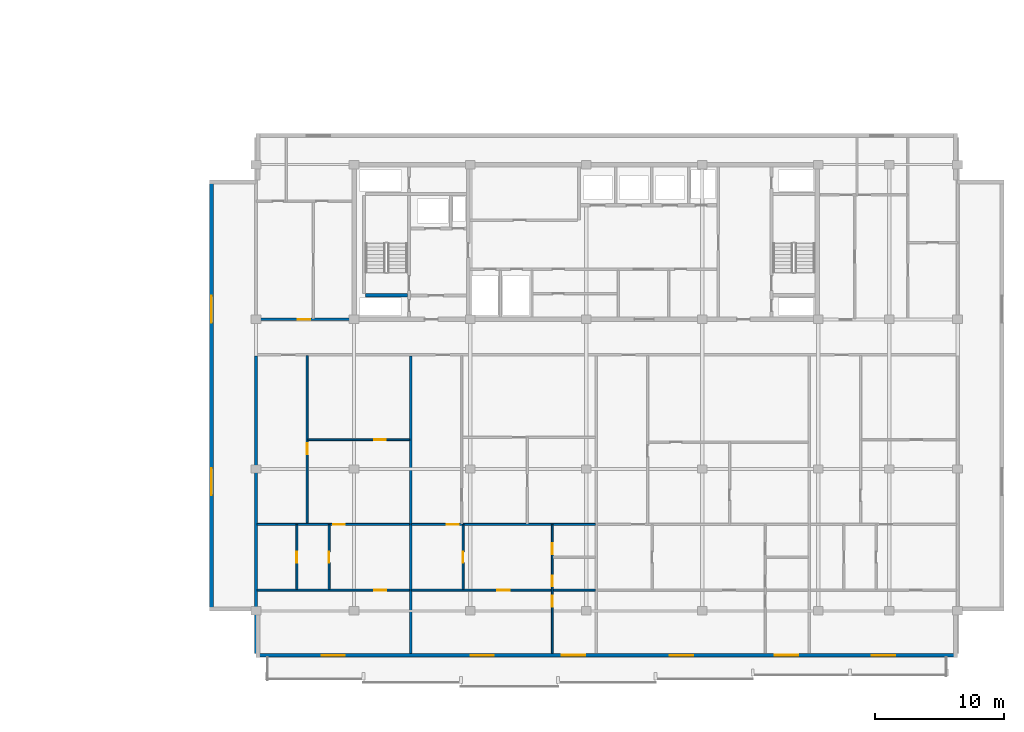
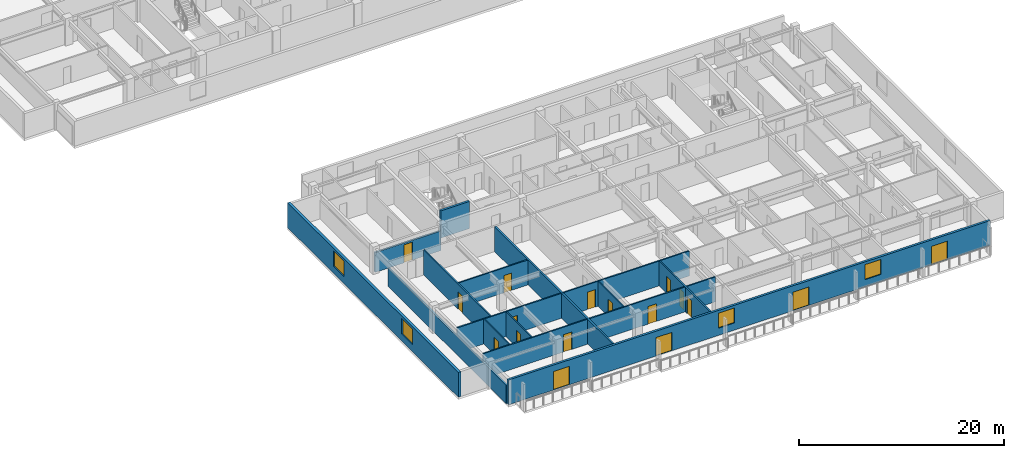
# One storey, part 4 of 22: 17 doors, 16 walls, 4 windows, 21 openings.
"""IFC4 building model written with IfcOpenShell, lengths in metres."""

from ifc_helpers import new_model, si_unit, direction, frame, frame_2d, origin, place, context, subcontext, project, spatial, rectangle, extrude, material, layer, layer_set, type_object, element, fill, save


model = new_model("IFC4")

# Units and contexts
model_context = context("Model", 3, precision=1e-05, world=origin(), true_north=direction((0.0, 1.0)))
body_context = subcontext(model_context, "Body", "Model", "MODEL_VIEW")
ifc_project = project(units=[si_unit("LENGTHUNIT", "METRE"), si_unit("AREAUNIT", "SQUARE_METRE"), si_unit("VOLUMEUNIT", "CUBIC_METRE"), si_unit("PLANEANGLEUNIT", "RADIAN"), si_unit("MASSUNIT", "GRAM", prefix="KILO")], contexts=[model_context])

# Site, building, storey
site_placement = place(None, origin())
site = spatial("IfcSite", under=ifc_project, at=site_placement, CompositionType="ELEMENT")
building_placement = place(site_placement, origin())
building = spatial("IfcBuilding", under=site, at=building_placement, Name="Korimba Cascade Residences", CompositionType="ELEMENT")
storey_placement = place(building_placement, frame((0.0, 0.0, 181.60009765625)))
storey = spatial("IfcBuildingStorey", under=building, at=storey_placement, Name="L52", CompositionType="ELEMENT", Elevation=181.60009765625)

# Wall, openings, doors, windows
ifc_material_1 = material(Name="Precast concrete C40/50", Category="concrete")
ifc_layer_1 = layer(ifc_material_1, 0.25)
ifc_layer_set_1 = layer_set([ifc_layer_1], Name="Precast concrete C40/50")
wall_type_1 = type_object("IfcWallType", Name="EW-LOG-250", PredefinedType="STANDARD", material=ifc_layer_set_1)
wall_1_placement = place(storey_placement, frame((74.5, -7.64990234375, 0.0), z_axis=(0.0, 0.0, 1.0), x_axis=(1.0, 0.0, 0.0)))
wall_1 = element("IfcWall", 1, at=wall_1_placement, inside=storey, type_object=wall_type_1, Name="L52 T2 Perimeter Stone Wall E00", PredefinedType="STANDARD", context=body_context, shape_type="SweptSolid", body=[
    extrude(rectangle(XDim=54.39990234375, YDim=0.25, at=frame_2d((27.199951171875, 0.0))), origin(), (0.0, 0.0, 1.0), 2.969970703125),
])
opening_1_placement = place(wall_1_placement, frame((5.091552734375, 0.0, 0.0)))
opening_1 = element("IfcOpeningElement", 2, at=opening_1_placement, cuts=wall_1, Name="Opening D-LG1", PredefinedType="OPENING", context=body_context, shape_type="SweptSolid", body=[
    extrude(rectangle(XDim=1.800048828125, YDim=2.199951171875, at=frame_2d((0.89990234375, 1.10009765625))), frame((0.0, 0.135009765625, 0.0), z_axis=(0.0, -1.0, 0.0), x_axis=(1.0, 0.0, 0.0)), (0.0, 0.0, 1.0), 0.27001953125),
])
opening_2_placement = place(wall_1_placement, frame((16.637451171875, 0.0, 0.0)))
opening_2 = element("IfcOpeningElement", 3, at=opening_2_placement, cuts=wall_1, Name="Opening D-LG1", PredefinedType="OPENING", context=body_context, shape_type="SweptSolid", body=[
    extrude(rectangle(XDim=1.800048828125, YDim=2.199951171875, at=frame_2d((0.89990234375, 1.10009765625))), frame((0.0, 0.135009765625, 0.0), z_axis=(0.0, -1.0, 0.0), x_axis=(1.0, 0.0, 0.0)), (0.0, 0.0, 1.0), 0.27001953125),
])
opening_3_placement = place(wall_1_placement, frame((23.7216796875, 0.0, 0.85009765625)))
opening_3 = element("IfcOpeningElement", 4, at=opening_3_placement, cuts=wall_1, Name="Opening W-02", PredefinedType="OPENING", context=body_context, shape_type="SweptSolid", body=[
    extrude(rectangle(XDim=1.800048828125, YDim=1.800048828125, at=frame_2d((0.89990234375, 0.89990234375))), frame((0.0, 0.135009765625, 0.0), z_axis=(0.0, -1.0, 0.0), x_axis=(1.0, 0.0, 0.0)), (0.0, 0.0, 1.0), 0.27001953125),
])
opening_4_placement = place(wall_1_placement, frame((32.099853515625, 0.0, 0.0)))
opening_4 = element("IfcOpeningElement", 5, at=opening_4_placement, cuts=wall_1, Name="Opening D-LG1", PredefinedType="OPENING", context=body_context, shape_type="SweptSolid", body=[
    extrude(rectangle(XDim=1.800048828125, YDim=2.199951171875, at=frame_2d((0.89990234375, 1.10009765625))), frame((0.0, 0.135009765625, 0.0), z_axis=(0.0, -1.0, 0.0), x_axis=(1.0, 0.0, 0.0)), (0.0, 0.0, 1.0), 0.27001953125),
])
opening_5_placement = place(wall_1_placement, frame((40.23828125, 0.0, 0.85009765625)))
opening_5 = element("IfcOpeningElement", 6, at=opening_5_placement, cuts=wall_1, Name="Opening W-02", PredefinedType="OPENING", context=body_context, shape_type="SweptSolid", body=[
    extrude(rectangle(XDim=1.800048828125, YDim=1.800048828125, at=frame_2d((0.89990234375, 0.89990234375))), frame((0.0, 0.135009765625, 0.0), z_axis=(0.0, -1.0, 0.0), x_axis=(1.0, 0.0, 0.0)), (0.0, 0.0, 1.0), 0.27001953125),
])
opening_6_placement = place(wall_1_placement, frame((47.754150390625, 0.0, 0.0)))
opening_6 = element("IfcOpeningElement", 7, at=opening_6_placement, cuts=wall_1, Name="Opening D-LG1", PredefinedType="OPENING", context=body_context, shape_type="SweptSolid", body=[
    extrude(rectangle(XDim=1.800048828125, YDim=2.199951171875, at=frame_2d((0.89990234375, 1.10009765625))), frame((0.0, 0.135009765625, 0.0), z_axis=(0.0, -1.0, 0.0), x_axis=(1.0, 0.0, 0.0)), (0.0, 0.0, 1.0), 0.27001953125),
])
ifc_material_2 = material(Name="Glazed Aluminium Loggia Sliding Door", Category="aluminium")
door_type_1 = type_object("IfcDoorType", Name="DR-EXT-LOG", OperationType="NOTDEFINED", PredefinedType="DOOR", material=ifc_material_2)
door_1_placement = place(opening_1_placement, origin())
door_1 = element("IfcDoor", 8, at=door_1_placement, inside=storey, type_object=door_type_1, Name="L52 T2 Loggia Sliding Door 3", OperationType="SLIDING_TO_RIGHT", OverallHeight=2.199951171875, OverallWidth=1.800048828125, PredefinedType="DOOR", context=body_context, shape_type="SweptSolid", body=[
    extrude(rectangle(XDim=1.800048828125, YDim=2.199951171875, at=frame_2d((0.89990234375, 1.10009765625))), frame((0.0, 0.02490234375, 0.0), z_axis=(0.0, -1.0, 0.0), x_axis=(1.0, 0.0, 0.0)), (0.0, 0.0, 1.0), 0.050048828125),
])
fill(opening_1, door_1)
door_2_placement = place(opening_2_placement, origin())
door_2 = element("IfcDoor", 9, at=door_2_placement, inside=storey, type_object=door_type_1, Name="L52 T2 Loggia Sliding Door 4", OperationType="SLIDING_TO_RIGHT", OverallHeight=2.199951171875, OverallWidth=1.800048828125, PredefinedType="DOOR", context=body_context, shape_type="SweptSolid", body=[
    extrude(rectangle(XDim=1.800048828125, YDim=2.199951171875, at=frame_2d((0.89990234375, 1.10009765625))), frame((0.0, 0.02490234375, 0.0), z_axis=(0.0, -1.0, 0.0), x_axis=(1.0, 0.0, 0.0)), (0.0, 0.0, 1.0), 0.050048828125),
])
fill(opening_2, door_2)
door_3_placement = place(opening_4_placement, origin())
door_3 = element("IfcDoor", 10, at=door_3_placement, inside=storey, type_object=door_type_1, Name="L52 T2 Loggia Sliding Door 6", OperationType="SLIDING_TO_RIGHT", OverallHeight=2.199951171875, OverallWidth=1.800048828125, PredefinedType="DOOR", context=body_context, shape_type="SweptSolid", body=[
    extrude(rectangle(XDim=1.800048828125, YDim=2.199951171875, at=frame_2d((0.89990234375, 1.10009765625))), frame((0.0, 0.02490234375, 0.0), z_axis=(0.0, -1.0, 0.0), x_axis=(1.0, 0.0, 0.0)), (0.0, 0.0, 1.0), 0.050048828125),
])
fill(opening_4, door_3)
door_4_placement = place(opening_6_placement, origin())
door_4 = element("IfcDoor", 11, at=door_4_placement, inside=storey, type_object=door_type_1, Name="L52 T2 Loggia Sliding Door 8", OperationType="SLIDING_TO_RIGHT", OverallHeight=2.199951171875, OverallWidth=1.800048828125, PredefinedType="DOOR", context=body_context, shape_type="SweptSolid", body=[
    extrude(rectangle(XDim=1.800048828125, YDim=2.199951171875, at=frame_2d((0.89990234375, 1.10009765625))), frame((0.0, 0.02490234375, 0.0), z_axis=(0.0, -1.0, 0.0), x_axis=(1.0, 0.0, 0.0)), (0.0, 0.0, 1.0), 0.050048828125),
])
fill(opening_6, door_4)
ifc_material_3 = material(Name="Double-Glazed Aluminium Window", Category="aluminium")
window_type_1 = type_object("IfcWindowType", Name="WIN-BED-1800", PartitioningType="SINGLE_PANEL", PredefinedType="WINDOW", material=ifc_material_3)
window_1_placement = place(opening_3_placement, origin())
window_1 = element("IfcWindow", 12, at=window_1_placement, inside=storey, type_object=window_type_1, Name="L52 T2 South Facade Window 5", OverallHeight=1.800048828125, OverallWidth=1.800048828125, PartitioningType="SINGLE_PANEL", PredefinedType="WINDOW", context=body_context, shape_type="SweptSolid", body=[
    extrude(rectangle(XDim=1.800048828125, YDim=1.800048828125, at=frame_2d((0.89990234375, 0.89990234375))), frame((0.0, 0.030029296875, 0.0), z_axis=(0.0, -1.0, 0.0), x_axis=(1.0, 0.0, 0.0)), (0.0, 0.0, 1.0), 0.06005859375),
])
fill(opening_3, window_1)
window_2_placement = place(opening_5_placement, origin())
window_2 = element("IfcWindow", 13, at=window_2_placement, inside=storey, type_object=window_type_1, Name="L52 T2 South Facade Window 7", OverallHeight=1.800048828125, OverallWidth=1.800048828125, PartitioningType="SINGLE_PANEL", PredefinedType="WINDOW", context=body_context, shape_type="SweptSolid", body=[
    extrude(rectangle(XDim=1.800048828125, YDim=1.800048828125, at=frame_2d((0.89990234375, 0.89990234375))), frame((0.0, 0.030029296875, 0.0), z_axis=(0.0, -1.0, 0.0), x_axis=(1.0, 0.0, 0.0)), (0.0, 0.0, 1.0), 0.06005859375),
])
fill(opening_5, window_2)

# Wall, openings, windows
ifc_layer_2 = layer(ifc_material_1, 0.300048828125)
ifc_layer_set_2 = layer_set([ifc_layer_2], Name="Precast concrete C40/50")
wall_type_2 = type_object("IfcWallType", Name="EW-STONE-300", PredefinedType="STANDARD", material=ifc_layer_set_2)
wall_2_placement = place(storey_placement, frame((71.050048828125, 29.199951171875, 0.0), z_axis=(0.0, 0.0, 1.0), x_axis=(0.0, -1.0, 0.0)))
wall_2 = element("IfcWall", 14, at=wall_2_placement, inside=storey, type_object=wall_type_2, Name="L52 T2 Perimeter Stone Wall E09", PredefinedType="STANDARD", context=body_context, shape_type="SweptSolid", body=[
    extrude(rectangle(XDim=33.39990234375, YDim=0.300048828125, at=frame_2d((16.699951171875, 0.0))), origin(), (0.0, 0.0, 1.0), 2.969970703125),
])
opening_7_placement = place(wall_2_placement, frame((8.969970703125, 0.0, 0.85009765625)))
opening_7 = element("IfcOpeningElement", 15, at=opening_7_placement, cuts=wall_2, Name="Opening W-03", PredefinedType="OPENING", context=body_context, shape_type="SweptSolid", body=[
    extrude(rectangle(XDim=2.10009765625, YDim=1.85009765625, at=frame_2d((1.050048828125, 0.925048828125))), frame((0.0, 0.16015625, 0.0), z_axis=(0.0, -1.0, 0.0), x_axis=(1.0, 0.0, 0.0)), (0.0, 0.0, 1.0), 0.320068359375),
])
opening_8_placement = place(wall_2_placement, frame((22.330078125, 0.0, 0.85009765625)))
opening_8 = element("IfcOpeningElement", 16, at=opening_8_placement, cuts=wall_2, Name="Opening W-03", PredefinedType="OPENING", context=body_context, shape_type="SweptSolid", body=[
    extrude(rectangle(XDim=2.10009765625, YDim=1.85009765625, at=frame_2d((1.050048828125, 0.925048828125))), frame((0.0, 0.16015625, 0.0), z_axis=(0.0, -1.0, 0.0), x_axis=(1.0, 0.0, 0.0)), (0.0, 0.0, 1.0), 0.320068359375),
])
window_type_2 = type_object("IfcWindowType", Name="WIN-CRN-2100", PartitioningType="DOUBLE_PANEL_HORIZONTAL", PredefinedType="WINDOW", material=ifc_material_3)
window_3_placement = place(opening_7_placement, origin())
window_3 = element("IfcWindow", 17, at=window_3_placement, inside=storey, type_object=window_type_2, Name="L52 T2 End View Window 9.1", OverallHeight=1.85009765625, OverallWidth=2.10009765625, PartitioningType="DOUBLE_PANEL_HORIZONTAL", PredefinedType="WINDOW", context=body_context, shape_type="SweptSolid", body=[
    extrude(rectangle(XDim=2.10009765625, YDim=1.85009765625, at=frame_2d((1.050048828125, 0.925048828125))), frame((0.0, 0.030029296875, 0.0), z_axis=(0.0, -1.0, 0.0), x_axis=(1.0, 0.0, 0.0)), (0.0, 0.0, 1.0), 0.06005859375),
])
fill(opening_7, window_3)
window_4_placement = place(opening_8_placement, origin())
window_4 = element("IfcWindow", 18, at=window_4_placement, inside=storey, type_object=window_type_2, Name="L52 T2 End View Window 9.2", OverallHeight=1.85009765625, OverallWidth=2.10009765625, PartitioningType="DOUBLE_PANEL_HORIZONTAL", PredefinedType="WINDOW", context=body_context, shape_type="SweptSolid", body=[
    extrude(rectangle(XDim=2.10009765625, YDim=1.85009765625, at=frame_2d((1.050048828125, 0.925048828125))), frame((0.0, 0.030029296875, 0.0), z_axis=(0.0, -1.0, 0.0), x_axis=(1.0, 0.0, 0.0)), (0.0, 0.0, 1.0), 0.06005859375),
])
fill(opening_8, window_4)

# Wall, opening, door
ifc_layer_3 = layer(ifc_material_1, 0.199951171875)
ifc_layer_set_3 = layer_set([ifc_layer_3], Name="Precast concrete C40/50")
wall_type_3 = type_object("IfcWallType", Name="WAL-IT-200", PredefinedType="PARTITIONING", material=ifc_layer_set_3)
wall_3_placement = place(storey_placement, frame((74.5, 18.39990234375, 0.0), z_axis=(0.0, 0.0, 1.0), x_axis=(1.0, 0.0, 0.0)))
wall_3 = element("IfcWall", 19, at=wall_3_placement, inside=storey, type_object=wall_type_3, Name="L52 Partition Wall WAL-L52-T2-FW-S", PredefinedType="PARTITIONING", context=body_context, shape_type="SweptSolid", body=[
    extrude(rectangle(XDim=7.449951171875, YDim=0.199951171875, at=frame_2d((3.72509765625, 0.0))), origin(), (0.0, 0.0, 1.0), 2.357666015625),
])
opening_9_placement = place(wall_3_placement, frame((3.25, 0.0, 0.0)))
opening_9 = element("IfcOpeningElement", 20, at=opening_9_placement, cuts=wall_3, Name="Opening D-UN1", PredefinedType="OPENING", context=body_context, shape_type="SweptSolid", body=[
    extrude(rectangle(XDim=0.949951171875, YDim=2.14990234375, at=frame_2d((0.47509765625, 1.074951171875))), frame((0.0, 0.10986328125, 0.0), z_axis=(0.0, -1.0, 0.0), x_axis=(1.0, 0.0, 0.0)), (0.0, 0.0, 1.0), 0.219970703125),
])
ifc_material_4 = material(Name="Fire-Rated Hardwood Apartment Entrance Door", Category="wood")
door_type_2 = type_object("IfcDoorType", Name="DR-FD60-950", OperationType="NOTDEFINED", PredefinedType="DOOR", material=ifc_material_4)
door_5_placement = place(opening_9_placement, origin())
door_5 = element("IfcDoor", 21, at=door_5_placement, inside=storey, type_object=door_type_2, Name="L52-T2-FW Entrance Door", OperationType="SINGLE_SWING_RIGHT", OverallHeight=2.14990234375, OverallWidth=0.949951171875, PredefinedType="DOOR", context=body_context, shape_type="SweptSolid", body=[
    extrude(rectangle(XDim=0.949951171875, YDim=2.14990234375, at=frame_2d((0.47509765625, 1.074951171875))), frame((0.0, 0.02490234375, 0.0), z_axis=(0.0, -1.0, 0.0), x_axis=(1.0, 0.0, 0.0)), (0.0, 0.0, 1.0), 0.050048828125),
])
fill(opening_9, door_5)

# Walls
wall_4_placement = place(storey_placement, frame((74.5, -7.5, 0.0), z_axis=(0.0, 0.0, 1.0), x_axis=(0.0, 1.0, 0.0)))
element("IfcWall", 22, at=wall_4_placement, inside=storey, type_object=wall_type_3, Name="L52 Partition Wall WAL-L52-T2-BNDWL", PredefinedType="PARTITIONING", context=body_context, shape_type="SweptSolid", body=[
    extrude(rectangle(XDim=23.070068359375, YDim=0.199951171875, at=frame_2d((11.53515625, 0.0))), origin(), (0.0, 0.0, 1.0), 2.2001953125),
])
wall_5_placement = place(storey_placement, frame((86.4833984375, -7.5, 0.0), z_axis=(0.0, 0.0, 1.0), x_axis=(0.0, 1.0, 0.0)))
element("IfcWall", 23, at=wall_5_placement, inside=storey, type_object=wall_type_3, Name="L52 Partition Wall WAL-L52-T2-DEM-1", PredefinedType="PARTITIONING", context=body_context, shape_type="SweptSolid", body=[
    extrude(rectangle(XDim=23.070068359375, YDim=0.199951171875, at=frame_2d((11.53515625, 0.0))), origin(), (0.0, 0.0, 1.0), 2.969970703125),
])

# Wall, opening, door
ifc_material_5 = material(Name="Insulated Acoustic Stud Partition", Category="gypsum")
ifc_layer_4 = layer(ifc_material_5, 0.14990234375)
ifc_layer_set_4 = layer_set([ifc_layer_4], Name="Insulated Acoustic Stud Partition")
wall_type_4 = type_object("IfcWallType", Name="WAL-PART-150", PredefinedType="PARTITIONING", material=ifc_layer_set_4)
wall_6_placement = place(storey_placement, frame((78.530029296875, 9.06494140625, 0.0), z_axis=(0.0, 0.0, 1.0), x_axis=(1.0, 0.0, 0.0)))
wall_6 = element("IfcWall", 24, at=wall_6_placement, inside=storey, type_object=wall_type_4, Name="L52 Partition Wall WAL-L52-T2-U01-FMH", PredefinedType="PARTITIONING", context=body_context, shape_type="SweptSolid", body=[
    extrude(rectangle(XDim=7.873291015625, YDim=0.14990234375, at=frame_2d((3.9365234375, 0.0))), origin(), (0.0, 0.0, 1.0), 2.969970703125),
])
opening_10_placement = place(wall_6_placement, frame((5.1328125, 0.0, 0.0)))
opening_10 = element("IfcOpeningElement", 25, at=opening_10_placement, cuts=wall_6, Name="Opening D-IN2", PredefinedType="OPENING", context=body_context, shape_type="SweptSolid", body=[
    extrude(rectangle(XDim=0.8798828125, YDim=2.06005859375, at=frame_2d((0.43994140625, 1.030029296875))), frame((0.0, 0.0849609375, 0.0), z_axis=(0.0, -1.0, 0.0), x_axis=(1.0, 0.0, 0.0)), (0.0, 0.0, 1.0), 0.169921875),
])
ifc_material_6 = material(Name="Acoustic Timber Bedroom Door", Category="wood")
door_type_3 = type_object("IfcDoorType", Name="DR-INT-880", OperationType="NOTDEFINED", PredefinedType="DOOR", material=ifc_material_6)
door_6_placement = place(opening_10_placement, origin())
door_6 = element("IfcDoor", 26, at=door_6_placement, inside=storey, type_object=door_type_3, Name="L52-T2-U01 Library Salon Door", OperationType="SINGLE_SWING_LEFT", OverallHeight=2.06005859375, OverallWidth=0.8798828125, PredefinedType="DOOR", context=body_context, shape_type="SweptSolid", body=[
    extrude(rectangle(XDim=0.8798828125, YDim=2.06005859375, at=frame_2d((0.43994140625, 1.030029296875))), frame((0.0, 0.02490234375, 0.0), z_axis=(0.0, -1.0, 0.0), x_axis=(1.0, 0.0, 0.0)), (0.0, 0.0, 1.0), 0.050048828125),
])
fill(opening_10, door_6)

wall_7_placement = place(storey_placement, frame((78.469970703125, 2.5400390625, 0.0), z_axis=(0.0, 0.0, 1.0), x_axis=(0.0, 1.0, 0.0)))
wall_7 = element("IfcWall", 27, at=wall_7_placement, inside=storey, type_object=wall_type_4, Name="L52 Partition Wall WAL-L52-T2-U01-FV", PredefinedType="PARTITIONING", context=body_context, shape_type="SweptSolid", body=[
    extrude(rectangle(XDim=13.050048828125, YDim=0.14990234375, at=frame_2d((6.52490234375, 0.0))), origin(), (0.0, 0.0, 1.0), 2.969970703125),
])
opening_11_placement = place(wall_7_placement, frame((5.39501953125, 0.0, 0.0)))
opening_11 = element("IfcOpeningElement", 28, at=opening_11_placement, cuts=wall_7, Name="Opening D-IN2", PredefinedType="OPENING", context=body_context, shape_type="SweptSolid", body=[
    extrude(rectangle(XDim=0.8798828125, YDim=2.06005859375, at=frame_2d((0.43994140625, 1.030029296875))), frame((0.0, 0.0849609375, 0.0), z_axis=(0.0, -1.0, 0.0), x_axis=(1.0, 0.0, 0.0)), (0.0, 0.0, 1.0), 0.169921875),
])
door_7_placement = place(opening_11_placement, origin())
door_7 = element("IfcDoor", 29, at=door_7_placement, inside=storey, type_object=door_type_3, Name="L52-T2-U01 Media Lounge Door", OperationType="SINGLE_SWING_RIGHT", OverallHeight=2.06005859375, OverallWidth=0.8798828125, PredefinedType="DOOR", context=body_context, shape_type="SweptSolid", body=[
    extrude(rectangle(XDim=0.8798828125, YDim=2.06005859375, at=frame_2d((0.43994140625, 1.030029296875))), frame((0.0, 0.02490234375, 0.0), z_axis=(0.0, -1.0, 0.0), x_axis=(1.0, 0.0, 0.0)), (0.0, 0.0, 1.0), 0.050048828125),
])
fill(opening_11, door_7)

wall_8_placement = place(storey_placement, frame((77.663330078125, -2.5400390625, 0.0), z_axis=(0.0, 0.0, 1.0), x_axis=(0.0, 1.0, 0.0)))
wall_8 = element("IfcWall", 30, at=wall_8_placement, inside=storey, type_object=wall_type_4, Name="L52 Partition Wall WAL-L52-T2-U01-CLS", PredefinedType="PARTITIONING", context=body_context, shape_type="SweptSolid", body=[
    extrude(rectangle(XDim=5.0, YDim=0.14990234375, at=frame_2d((2.5, 0.0))), origin(), (0.0, 0.0, 1.0), 2.969970703125),
])
opening_12_placement = place(wall_8_placement, frame((2.080078125, 0.0, 0.0)))
opening_12 = element("IfcOpeningElement", 31, at=opening_12_placement, cuts=wall_8, Name="Opening D-BT1", PredefinedType="OPENING", context=body_context, shape_type="SweptSolid", body=[
    extrude(rectangle(XDim=0.840087890625, YDim=2.0400390625, at=frame_2d((0.419921875, 1.02001953125))), frame((0.0, 0.0849609375, 0.0), z_axis=(0.0, -1.0, 0.0), x_axis=(1.0, 0.0, 0.0)), (0.0, 0.0, 1.0), 0.169921875),
])
ifc_material_7 = material(Name="Moisture-Resistant Bathroom Timber Door", Category="wood")
door_type_4 = type_object("IfcDoorType", Name="DR-INT-850", OperationType="NOTDEFINED", PredefinedType="DOOR", material=ifc_material_7)
door_8_placement = place(opening_12_placement, origin())
door_8 = element("IfcDoor", 32, at=door_8_placement, inside=storey, type_object=door_type_4, Name="L52-T2-U01 Closet Door", OperationType="SINGLE_SWING_LEFT", OverallHeight=2.0400390625, OverallWidth=0.840087890625, PredefinedType="DOOR", context=body_context, shape_type="SweptSolid", body=[
    extrude(rectangle(XDim=0.840087890625, YDim=2.0400390625, at=frame_2d((0.419921875, 1.02001953125))), frame((0.0, 0.02490234375, 0.0), z_axis=(0.0, -1.0, 0.0), x_axis=(1.0, 0.0, 0.0)), (0.0, 0.0, 1.0), 0.050048828125),
])
fill(opening_12, door_8)

wall_9_placement = place(storey_placement, frame((80.163330078125, -2.5400390625, 0.0), z_axis=(0.0, 0.0, 1.0), x_axis=(0.0, 1.0, 0.0)))
wall_9 = element("IfcWall", 33, at=wall_9_placement, inside=storey, type_object=wall_type_4, Name="L52 Partition Wall WAL-L52-T2-U01-BM", PredefinedType="PARTITIONING", context=body_context, shape_type="SweptSolid", body=[
    extrude(rectangle(XDim=5.0, YDim=0.14990234375, at=frame_2d((2.5, 0.0))), origin(), (0.0, 0.0, 1.0), 2.969970703125),
])
opening_13_placement = place(wall_9_placement, frame((2.080078125, 0.0, 0.0)))
opening_13 = element("IfcOpeningElement", 34, at=opening_13_placement, cuts=wall_9, Name="Opening D-BT1", PredefinedType="OPENING", context=body_context, shape_type="SweptSolid", body=[
    extrude(rectangle(XDim=0.840087890625, YDim=2.0400390625, at=frame_2d((0.419921875, 1.02001953125))), frame((0.0, 0.0849609375, 0.0), z_axis=(0.0, -1.0, 0.0), x_axis=(1.0, 0.0, 0.0)), (0.0, 0.0, 1.0), 0.169921875),
])
door_9_placement = place(opening_13_placement, origin())
door_9 = element("IfcDoor", 35, at=door_9_placement, inside=storey, type_object=door_type_4, Name="L52-T2-U01 Bathroom Door", OperationType="SINGLE_SWING_RIGHT", OverallHeight=2.0400390625, OverallWidth=0.840087890625, PredefinedType="DOOR", context=body_context, shape_type="SweptSolid", body=[
    extrude(rectangle(XDim=0.840087890625, YDim=2.0400390625, at=frame_2d((0.419921875, 1.02001953125))), frame((0.0, 0.02490234375, 0.0), z_axis=(0.0, -1.0, 0.0), x_axis=(1.0, 0.0, 0.0)), (0.0, 0.0, 1.0), 0.050048828125),
])
fill(opening_13, door_9)

wall_10_placement = place(storey_placement, frame((74.580078125, 2.5, 0.0), z_axis=(0.0, 0.0, 1.0), x_axis=(1.0, 0.0, 0.0)))
wall_10 = element("IfcWall", 36, at=wall_10_placement, inside=storey, type_object=wall_type_4, Name="L52 Partition Wall WAL-L52-T2-U01-MW", PredefinedType="PARTITIONING", context=body_context, shape_type="SweptSolid", body=[
    extrude(rectangle(XDim=11.8232421875, YDim=0.14990234375, at=frame_2d((5.91162109375, 0.0))), origin(), (0.0, 0.0, 1.0), 2.969970703125),
])
opening_14_placement = place(wall_10_placement, frame((5.8994140625, 0.0, 0.0)))
opening_14 = element("IfcOpeningElement", 37, at=opening_14_placement, cuts=wall_10, Name="Opening D-IN1", PredefinedType="OPENING", context=body_context, shape_type="SweptSolid", body=[
    extrude(rectangle(XDim=0.919921875, YDim=2.080078125, at=frame_2d((0.4599609375, 1.0400390625))), frame((0.0, 0.0849609375, 0.0), z_axis=(0.0, -1.0, 0.0), x_axis=(1.0, 0.0, 0.0)), (0.0, 0.0, 1.0), 0.169921875),
])
ifc_material_8 = material(Name="Acoustic Timber Living Door", Category="wood")
door_type_5 = type_object("IfcDoorType", Name="DR-INT-920", OperationType="NOTDEFINED", PredefinedType="DOOR", material=ifc_material_8)
door_10_placement = place(opening_14_placement, origin())
door_10 = element("IfcDoor", 38, at=door_10_placement, inside=storey, type_object=door_type_5, Name="L52-T2-U01 Studio Kitchen Door", OperationType="SINGLE_SWING_LEFT", OverallHeight=2.080078125, OverallWidth=0.919921875, PredefinedType="DOOR", context=body_context, shape_type="SweptSolid", body=[
    extrude(rectangle(XDim=0.919921875, YDim=2.080078125, at=frame_2d((0.4599609375, 1.0400390625))), frame((0.0, 0.02490234375, 0.0), z_axis=(0.0, -1.0, 0.0), x_axis=(1.0, 0.0, 0.0)), (0.0, 0.0, 1.0), 0.050048828125),
])
fill(opening_14, door_10)

wall_11_placement = place(storey_placement, frame((74.580078125, -2.60009765625, 0.0), z_axis=(0.0, 0.0, 1.0), x_axis=(1.0, 0.0, 0.0)))
wall_11 = element("IfcWall", 39, at=wall_11_placement, inside=storey, type_object=wall_type_4, Name="L52 Partition Wall WAL-L52-T2-U01-HZ", PredefinedType="PARTITIONING", context=body_context, shape_type="SweptSolid", body=[
    extrude(rectangle(XDim=11.8232421875, YDim=0.14990234375, at=frame_2d((5.91162109375, 0.0))), origin(), (0.0, 0.0, 1.0), 2.969970703125),
])
opening_15_placement = place(wall_11_placement, frame((9.083740234375, 0.0, 0.0)))
opening_15 = element("IfcOpeningElement", 40, at=opening_15_placement, cuts=wall_11, Name="Opening D-IN1", PredefinedType="OPENING", context=body_context, shape_type="SweptSolid", body=[
    extrude(rectangle(XDim=0.919921875, YDim=2.080078125, at=frame_2d((0.4599609375, 1.0400390625))), frame((0.0, 0.0849609375, 0.0), z_axis=(0.0, -1.0, 0.0), x_axis=(1.0, 0.0, 0.0)), (0.0, 0.0, 1.0), 0.169921875),
])
door_11_placement = place(opening_15_placement, origin())
door_11 = element("IfcDoor", 41, at=door_11_placement, inside=storey, type_object=door_type_5, Name="L52-T2-U01 Studio Door", OperationType="SINGLE_SWING_RIGHT", OverallHeight=2.080078125, OverallWidth=0.919921875, PredefinedType="DOOR", context=body_context, shape_type="SweptSolid", body=[
    extrude(rectangle(XDim=0.919921875, YDim=2.080078125, at=frame_2d((0.4599609375, 1.0400390625))), frame((0.0, 0.02490234375, 0.0), z_axis=(0.0, -1.0, 0.0), x_axis=(1.0, 0.0, 0.0)), (0.0, 0.0, 1.0), 0.050048828125),
])
fill(opening_15, door_11)

wall_12_placement = place(storey_placement, frame((90.55322265625, -2.5400390625, 0.0), z_axis=(0.0, 0.0, 1.0), x_axis=(0.0, 1.0, 0.0)))
wall_12 = element("IfcWall", 42, at=wall_12_placement, inside=storey, type_object=wall_type_4, Name="L52 Partition Wall WAL-L52-T2-U02-VDIN", PredefinedType="PARTITIONING", context=body_context, shape_type="SweptSolid", body=[
    extrude(rectangle(XDim=5.0, YDim=0.14990234375, at=frame_2d((2.5, 0.0))), origin(), (0.0, 0.0, 1.0), 2.969970703125),
])
opening_16_placement = place(wall_12_placement, frame((2.06005859375, 0.0, 0.0)))
opening_16 = element("IfcOpeningElement", 43, at=opening_16_placement, cuts=wall_12, Name="Opening D-IN2", PredefinedType="OPENING", context=body_context, shape_type="SweptSolid", body=[
    extrude(rectangle(XDim=0.8798828125, YDim=2.06005859375, at=frame_2d((0.43994140625, 1.030029296875))), frame((0.0, 0.0849609375, 0.0), z_axis=(0.0, -1.0, 0.0), x_axis=(1.0, 0.0, 0.0)), (0.0, 0.0, 1.0), 0.169921875),
])
door_12_placement = place(opening_16_placement, origin())
door_12 = element("IfcDoor", 44, at=door_12_placement, inside=storey, type_object=door_type_3, Name="L52-T2-U02 Dining Room Door", OperationType="SINGLE_SWING_RIGHT", OverallHeight=2.06005859375, OverallWidth=0.8798828125, PredefinedType="DOOR", context=body_context, shape_type="SweptSolid", body=[
    extrude(rectangle(XDim=0.8798828125, YDim=2.06005859375, at=frame_2d((0.43994140625, 1.030029296875))), frame((0.0, 0.02490234375, 0.0), z_axis=(0.0, -1.0, 0.0), x_axis=(1.0, 0.0, 0.0)), (0.0, 0.0, 1.0), 0.050048828125),
])
fill(opening_16, door_12)

# Wall, openings, doors
wall_13_placement = place(storey_placement, frame((97.4716796875, -7.5, 0.0), z_axis=(0.0, 0.0, 1.0), x_axis=(0.0, 1.0, 0.0)))
wall_13 = element("IfcWall", 45, at=wall_13_placement, inside=storey, type_object=wall_type_4, Name="L52 Partition Wall WAL-L52-T2-U02-V1", PredefinedType="PARTITIONING", context=body_context, shape_type="SweptSolid", body=[
    extrude(rectangle(XDim=9.9599609375, YDim=0.14990234375, at=frame_2d((4.97998046875, 0.0))), origin(), (0.0, 0.0, 1.0), 2.969970703125),
])
opening_17_placement = place(wall_13_placement, frame((5.199951171875, 0.0, 0.0)))
opening_17 = element("IfcOpeningElement", 46, at=opening_17_placement, cuts=wall_13, Name="Opening D-BT1", PredefinedType="OPENING", context=body_context, shape_type="SweptSolid", body=[
    extrude(rectangle(XDim=0.840087890625, YDim=2.0400390625, at=frame_2d((0.419921875, 1.02001953125))), frame((0.0, 0.0849609375, 0.0), z_axis=(0.0, -1.0, 0.0), x_axis=(1.0, 0.0, 0.0)), (0.0, 0.0, 1.0), 0.169921875),
])
opening_18_placement = place(wall_13_placement, frame((7.689697265625, 0.0, 0.0)))
opening_18 = element("IfcOpeningElement", 47, at=opening_18_placement, cuts=wall_13, Name="Opening D-BT1", PredefinedType="OPENING", context=body_context, shape_type="SweptSolid", body=[
    extrude(rectangle(XDim=0.840087890625, YDim=2.0400390625, at=frame_2d((0.419921875, 1.02001953125))), frame((0.0, 0.0849609375, 0.0), z_axis=(0.0, -1.0, 0.0), x_axis=(1.0, 0.0, 0.0)), (0.0, 0.0, 1.0), 0.169921875),
])
opening_19_placement = place(wall_13_placement, frame((3.60009765625, 0.0, 0.0)))
opening_19 = element("IfcOpeningElement", 48, at=opening_19_placement, cuts=wall_13, Name="Opening D-IN2", PredefinedType="OPENING", context=body_context, shape_type="SweptSolid", body=[
    extrude(rectangle(XDim=0.8798828125, YDim=2.06005859375, at=frame_2d((0.43994140625, 1.030029296875))), frame((0.0, 0.0849609375, 0.0), z_axis=(0.0, -1.0, 0.0), x_axis=(1.0, 0.0, 0.0)), (0.0, 0.0, 1.0), 0.169921875),
])
door_13_placement = place(opening_17_placement, origin())
door_13 = element("IfcDoor", 49, at=door_13_placement, inside=storey, type_object=door_type_4, Name="L52-T2-U02 Bathroom Door", OperationType="SINGLE_SWING_LEFT", OverallHeight=2.0400390625, OverallWidth=0.840087890625, PredefinedType="DOOR", context=body_context, shape_type="SweptSolid", body=[
    extrude(rectangle(XDim=0.840087890625, YDim=2.0400390625, at=frame_2d((0.419921875, 1.02001953125))), frame((0.0, 0.02490234375, 0.0), z_axis=(0.0, -1.0, 0.0), x_axis=(1.0, 0.0, 0.0)), (0.0, 0.0, 1.0), 0.050048828125),
])
fill(opening_17, door_13)
door_14_placement = place(opening_18_placement, origin())
door_14 = element("IfcDoor", 50, at=door_14_placement, inside=storey, type_object=door_type_4, Name="L52-T2-U02 Laundry Door", OperationType="SINGLE_SWING_RIGHT", OverallHeight=2.0400390625, OverallWidth=0.840087890625, PredefinedType="DOOR", context=body_context, shape_type="SweptSolid", body=[
    extrude(rectangle(XDim=0.840087890625, YDim=2.0400390625, at=frame_2d((0.419921875, 1.02001953125))), frame((0.0, 0.02490234375, 0.0), z_axis=(0.0, -1.0, 0.0), x_axis=(1.0, 0.0, 0.0)), (0.0, 0.0, 1.0), 0.050048828125),
])
fill(opening_18, door_14)
door_15_placement = place(opening_19_placement, origin())
door_15 = element("IfcDoor", 51, at=door_15_placement, inside=storey, type_object=door_type_3, Name="L52-T2-U02 Bedroom 1 Door", OperationType="SINGLE_SWING_LEFT", OverallHeight=2.06005859375, OverallWidth=0.8798828125, PredefinedType="DOOR", context=body_context, shape_type="SweptSolid", body=[
    extrude(rectangle(XDim=0.8798828125, YDim=2.06005859375, at=frame_2d((0.43994140625, 1.030029296875))), frame((0.0, 0.02490234375, 0.0), z_axis=(0.0, -1.0, 0.0), x_axis=(1.0, 0.0, 0.0)), (0.0, 0.0, 1.0), 0.050048828125),
])
fill(opening_19, door_15)

# Wall, opening, door
wall_14_placement = place(storey_placement, frame((86.563232421875, 2.5, 0.0), z_axis=(0.0, 0.0, 1.0), x_axis=(1.0, 0.0, 0.0)))
wall_14 = element("IfcWall", 52, at=wall_14_placement, inside=storey, type_object=wall_type_4, Name="L52 Partition Wall WAL-L52-T2-U02-MW", PredefinedType="PARTITIONING", context=body_context, shape_type="SweptSolid", body=[
    extrude(rectangle(XDim=14.248291015625, YDim=0.14990234375, at=frame_2d((7.1240234375, 0.0))), origin(), (0.0, 0.0, 1.0), 2.969970703125),
])
opening_20_placement = place(wall_14_placement, frame((2.719970703125, 0.0, 0.0)))
opening_20 = element("IfcOpeningElement", 53, at=opening_20_placement, cuts=wall_14, Name="Opening D-IN1", PredefinedType="OPENING", context=body_context, shape_type="SweptSolid", body=[
    extrude(rectangle(XDim=0.919921875, YDim=2.080078125, at=frame_2d((0.4599609375, 1.0400390625))), frame((0.0, 0.0849609375, 0.0), z_axis=(0.0, -1.0, 0.0), x_axis=(1.0, 0.0, 0.0)), (0.0, 0.0, 1.0), 0.169921875),
])
door_16_placement = place(opening_20_placement, origin())
door_16 = element("IfcDoor", 54, at=door_16_placement, inside=storey, type_object=door_type_5, Name="L52-T2-U02 Kitchen Archway Door", OperationType="SINGLE_SWING_RIGHT", OverallHeight=2.080078125, OverallWidth=0.919921875, PredefinedType="DOOR", context=body_context, shape_type="SweptSolid", body=[
    extrude(rectangle(XDim=0.919921875, YDim=2.080078125, at=frame_2d((0.4599609375, 1.0400390625))), frame((0.0, 0.02490234375, 0.0), z_axis=(0.0, -1.0, 0.0), x_axis=(1.0, 0.0, 0.0)), (0.0, 0.0, 1.0), 0.050048828125),
])
fill(opening_20, door_16)

wall_15_placement = place(storey_placement, frame((86.563232421875, -2.60009765625, 0.0), z_axis=(0.0, 0.0, 1.0), x_axis=(1.0, 0.0, 0.0)))
wall_15 = element("IfcWall", 55, at=wall_15_placement, inside=storey, type_object=wall_type_4, Name="L52 Partition Wall WAL-L52-T2-U02-HZ", PredefinedType="PARTITIONING", context=body_context, shape_type="SweptSolid", body=[
    extrude(rectangle(XDim=14.248291015625, YDim=0.14990234375, at=frame_2d((7.1240234375, 0.0))), origin(), (0.0, 0.0, 1.0), 2.969970703125),
])
opening_21_placement = place(wall_15_placement, frame((6.654296875, 0.0, 0.0)))
opening_21 = element("IfcOpeningElement", 56, at=opening_21_placement, cuts=wall_15, Name="Opening D-IN0", PredefinedType="OPENING", context=body_context, shape_type="SweptSolid", body=[
    extrude(rectangle(XDim=0.93994140625, YDim=2.10009765625, at=frame_2d((0.469970703125, 1.050048828125))), frame((0.0, 0.0849609375, 0.0), z_axis=(0.0, -1.0, 0.0), x_axis=(1.0, 0.0, 0.0)), (0.0, 0.0, 1.0), 0.169921875),
])
ifc_material_9 = material(Name="Acoustic Timber Living Archway Door", Category="wood")
door_type_6 = type_object("IfcDoorType", Name="DR-INT-950", OperationType="NOTDEFINED", PredefinedType="DOOR", material=ifc_material_9)
door_17_placement = place(opening_21_placement, origin())
door_17 = element("IfcDoor", 57, at=door_17_placement, inside=storey, type_object=door_type_6, Name="L52-T2-U02 Living Archway Door", OperationType="SINGLE_SWING_LEFT", OverallHeight=2.10009765625, OverallWidth=0.93994140625, PredefinedType="DOOR", context=body_context, shape_type="SweptSolid", body=[
    extrude(rectangle(XDim=0.93994140625, YDim=2.10009765625, at=frame_2d((0.469970703125, 1.050048828125))), frame((0.0, 0.02490234375, 0.0), z_axis=(0.0, -1.0, 0.0), x_axis=(1.0, 0.0, 0.0)), (0.0, 0.0, 1.0), 0.050048828125),
])
fill(opening_21, door_17)

# Wall
ifc_material_10 = material(Name="Concrete C50/60", Category="concrete")
ifc_layer_5 = layer(ifc_material_10, 0.25)
ifc_layer_set_5 = layer_set([ifc_layer_5], Name="Concrete C50/60")
wall_type_5 = type_object("IfcWallType", Name="WAL-SHAFT-250", PredefinedType="SHEAR", material=ifc_layer_set_5)
wall_16_placement = place(storey_placement, frame((83.0, 20.27490234375, 0.0), z_axis=(0.0, 0.0, 1.0), x_axis=(1.0, 0.0, 0.0)))
element("IfcWall", 58, at=wall_16_placement, inside=storey, type_object=wall_type_5, Name="L52 Core Shear Wall CW-L52-T2-STE1S", PredefinedType="SHEAR", context=body_context, shape_type="SweptSolid", body=[
    extrude(rectangle(XDim=3.239990234375, YDim=0.25, at=frame_2d((1.6201171875, 0.0))), origin(), (0.0, 0.0, 1.0), 3.25),
])

save(model, "model.ifc")
